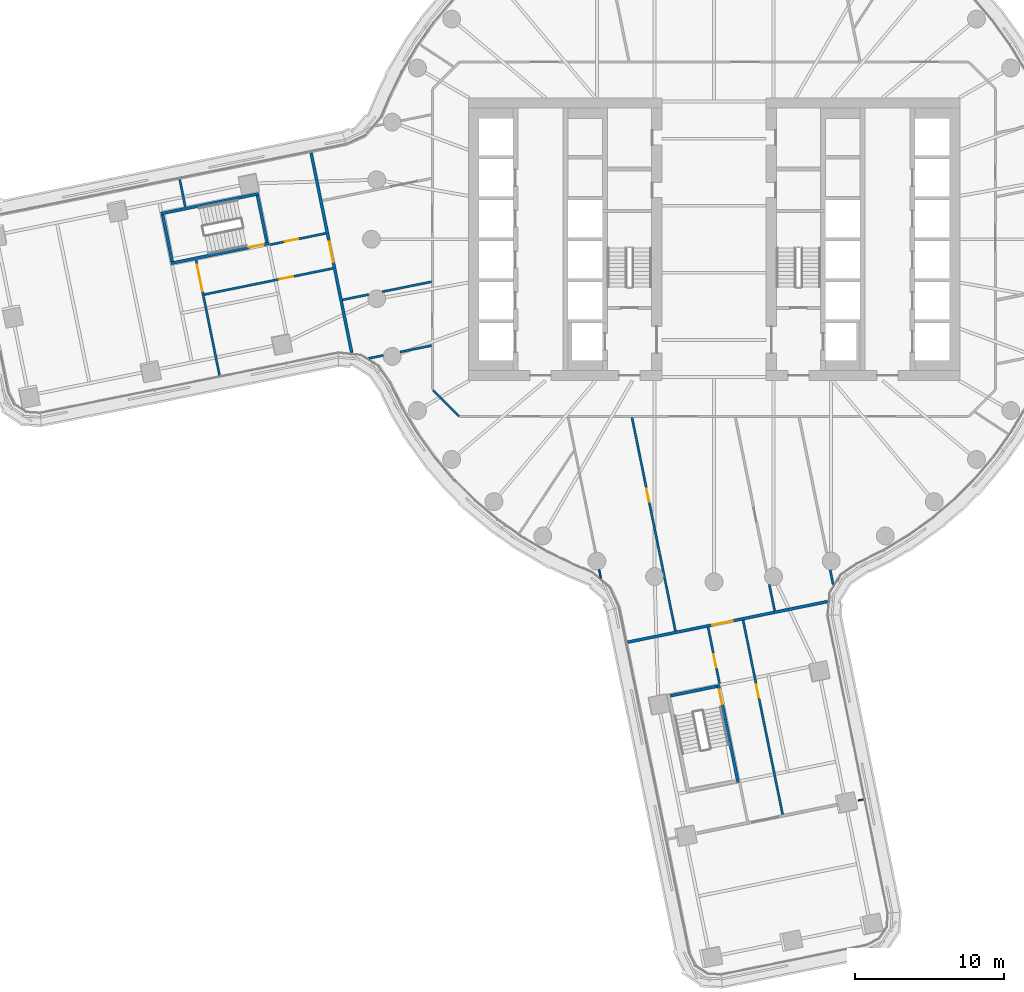
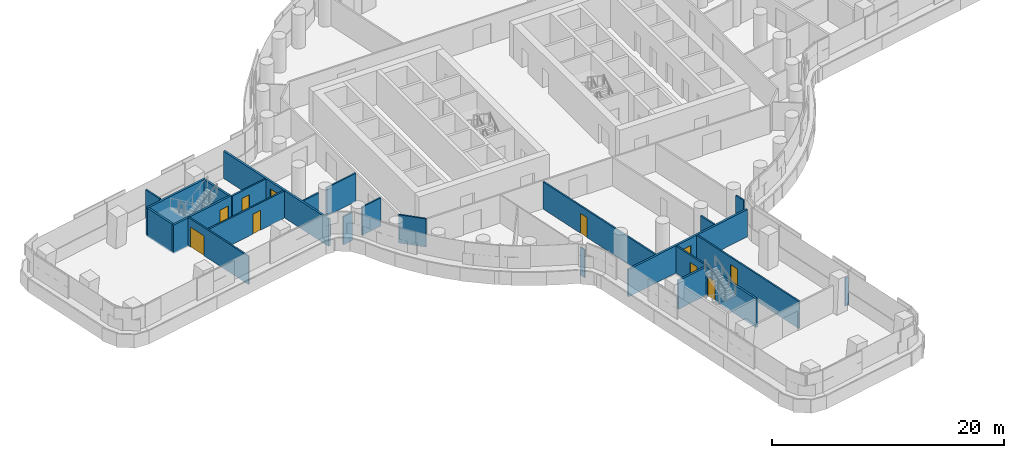
# One storey, part 18 of 31: 24 walls, 10 doors, 10 openings.
"""IFC4 building model written with IfcOpenShell, lengths in metres."""

from ifc_helpers import new_model, si_unit, direction, frame, frame_2d, origin, place, context, subcontext, project, spatial, polyline, rectangle, outline, extrude, material, layer, layer_set, type_object, element, fill, save


model = new_model("IFC4")

# Units and contexts
model_context = context("Model", 3, precision=1e-05, world=origin(), true_north=direction((0.0, 1.0)))
body_context = subcontext(model_context, "Body", "Model", "MODEL_VIEW")
ifc_project = project(units=[si_unit("LENGTHUNIT", "METRE"), si_unit("AREAUNIT", "SQUARE_METRE"), si_unit("VOLUMEUNIT", "CUBIC_METRE"), si_unit("PLANEANGLEUNIT", "RADIAN"), si_unit("MASSUNIT", "GRAM", prefix="KILO")], contexts=[model_context])

# Site, building, storey
site_placement = place(None, origin())
site = spatial("IfcSite", under=ifc_project, at=site_placement, CompositionType="ELEMENT")
building_placement = place(site_placement, origin())
building = spatial("IfcBuilding", under=site, at=building_placement, Name="Tamarind Cross Interchange Tower", CompositionType="ELEMENT")
storey_placement = place(building_placement, frame((0.0, 0.0, 75.25)))
storey = spatial("IfcBuildingStorey", under=building, at=storey_placement, Name="L17", CompositionType="ELEMENT", Elevation=75.25)

# Walls
ifc_material_1 = material(Name="Gypsum board partition on steel studs", Category="steel")
ifc_layer_1 = layer(ifc_material_1, 0.10009765625)
ifc_layer_set_1 = layer_set([ifc_layer_1], Name="Gypsum board partition on steel studs")
wall_type_1 = type_object("IfcWallType", Name="Partition 100 mm EI 90", PredefinedType="PARTITIONING", material=ifc_layer_set_1)
wall_1_placement = place(storey_placement, frame((-7.718505859375, -22.183349609375, 0.0), z_axis=(0.0, 0.0, 1.0), x_axis=(0.1988702456, -0.980025828953, 0.0)))
element("IfcWall", 1, at=wall_1_placement, inside=storey, type_object=wall_type_1, Name="Partition L17-007", PredefinedType="PARTITIONING", context=body_context, shape_type="SweptSolid", body=[
    extrude(rectangle(XDim=0.579345703125, YDim=0.10009765625, at=frame_2d((0.28955078125, 0.0))), origin(), (0.0, 0.0, 1.0), 2.969970703125),
])
wall_2_placement = place(storey_placement, frame((9.68603515625, -37.684326171875, 0.0), z_axis=(0.0, 0.0, 1.0), x_axis=(0.979943754842, 0.199274276677, 0.0)))
element("IfcWall", 2, at=wall_2_placement, inside=storey, type_object=wall_type_1, Name="Partition L17-052", PredefinedType="PARTITIONING", context=body_context, shape_type="SweptSolid", body=[
    extrude(rectangle(XDim=0.341796875, YDim=0.10009765625, at=frame_2d((0.1708984375, 0.0))), origin(), (0.0, 0.0, 1.0), 2.969970703125),
])
ifc_layer_2 = layer(ifc_material_1, 0.14990234375)
ifc_layer_set_2 = layer_set([ifc_layer_2], Name="Gypsum board partition on steel studs")
wall_type_2 = type_object("IfcWallType", Name="Partition 150 mm EI 120", PredefinedType="PARTITIONING", material=ifc_layer_set_2)
wall_3_placement = place(storey_placement, frame((-35.8779296875, 4.014404296875, 0.0), z_axis=(0.0, 0.0, 1.0), x_axis=(0.199020498729, -0.979995327073, 0.0)))
element("IfcWall", 3, at=wall_3_placement, inside=storey, type_object=wall_type_2, Name="Partition L17-001", PredefinedType="PARTITIONING", context=body_context, shape_type="SweptSolid", body=[
    extrude(rectangle(XDim=1.8583984375, YDim=0.14990234375, at=frame_2d((0.92919921875, 0.0))), origin(), (0.0, 0.0, 1.0), 2.969970703125),
])

# Wall, opening, door
wall_4_placement = place(storey_placement, frame((-34.775390625, -1.413818359375, 0.0), z_axis=(0.0, 0.0, 1.0), x_axis=(0.199048758303, -0.979989587607, 0.0)))
wall_4 = element("IfcWall", 4, at=wall_4_placement, inside=storey, type_object=wall_type_2, Name="Partition L17-002", PredefinedType="PARTITIONING", context=body_context, shape_type="SweptSolid", body=[
    extrude(rectangle(XDim=7.874267578125, YDim=0.14990234375, at=frame_2d((3.93701171875, 0.0))), origin(), (0.0, 0.0, 1.0), 2.969970703125),
])
opening_1_placement = place(wall_4_placement, frame((0.300048828125, 0.0, 0.0)))
opening_1 = element("IfcOpeningElement", 5, at=opening_1_placement, cuts=wall_4, Name="Opening D01", PredefinedType="OPENING", context=body_context, shape_type="SweptSolid", body=[
    extrude(rectangle(XDim=1.800048828125, YDim=2.10009765625, at=frame_2d((0.89990234375, 1.050048828125))), frame((0.0, 0.0849609375, 0.0), z_axis=(0.0, -1.0, 0.0), x_axis=(1.0, 0.0, 0.0)), (0.0, 0.0, 1.0), 0.169921875),
])
ifc_material_2 = material(Name="Fire-resisting door set")
door_type_1 = type_object("IfcDoorType", Name="Interior door 1800 x 2100 FD60S", OperationType="DOUBLE_DOOR_SINGLE_SWING", PredefinedType="DOOR", material=ifc_material_2)
door_1_placement = place(opening_1_placement, frame((1.800048828125, 0.0, 0.0), z_axis=(0.0, 0.0, 1.0), x_axis=(-1.0, 0.0, 0.0)))
door_1 = element("IfcDoor", 6, at=door_1_placement, inside=storey, type_object=door_type_1, Name="Door D01", OperationType="DOUBLE_DOOR_SINGLE_SWING", OverallHeight=2.10009765625, OverallWidth=1.800048828125, PredefinedType="DOOR", context=body_context, shape_type="SweptSolid", body=[
    extrude(rectangle(XDim=1.800048828125, YDim=2.10009765625, at=frame_2d((0.89990234375, 1.050048828125))), frame((0.0, 0.02490234375, 0.0), z_axis=(0.0, -1.0, 0.0), x_axis=(1.0, 0.0, 0.0)), (0.0, 0.0, 1.0), 0.050048828125),
])
fill(opening_1, door_1)

wall_5_placement = place(storey_placement, frame((-5.508056640625, -11.973388671875, 0.0), z_axis=(0.0, 0.0, 1.0), x_axis=(0.199216758513, -0.979955449563, 0.0)))
wall_5 = element("IfcWall", 7, at=wall_5_placement, inside=storey, type_object=wall_type_2, Name="Partition L17-009", PredefinedType="PARTITIONING", context=body_context, shape_type="SweptSolid", body=[
    extrude(rectangle(XDim=14.622802734375, YDim=0.14990234375, at=frame_2d((7.3115234375, 0.0))), origin(), (0.0, 0.0, 1.0), 2.8701171875),
])
opening_2_placement = place(wall_5_placement, frame((4.875, 0.0, 0.0)))
opening_2 = element("IfcOpeningElement", 8, at=opening_2_placement, cuts=wall_5, Name="Opening D03", PredefinedType="OPENING", context=body_context, shape_type="SweptSolid", body=[
    extrude(rectangle(XDim=0.89990234375, YDim=2.10009765625, at=frame_2d((0.449951171875, 1.050048828125))), frame((0.0, 0.0849609375, 0.0), z_axis=(0.0, -1.0, 0.0), x_axis=(1.0, 0.0, 0.0)), (0.0, 0.0, 1.0), 0.169921875),
])
door_type_2 = type_object("IfcDoorType", Name="Interior door 900 x 2100 FD60S", OperationType="SINGLE_SWING_LEFT", PredefinedType="DOOR", material=ifc_material_2)
door_2_placement = place(opening_2_placement, frame((0.89990234375, 0.0, 0.0), z_axis=(0.0, 0.0, 1.0), x_axis=(-1.0, 0.0, 0.0)))
door_2 = element("IfcDoor", 9, at=door_2_placement, inside=storey, type_object=door_type_2, Name="Door D03", OperationType="SINGLE_SWING_LEFT", OverallHeight=2.10009765625, OverallWidth=0.89990234375, PredefinedType="DOOR", context=body_context, shape_type="SweptSolid", body=[
    extrude(rectangle(XDim=0.89990234375, YDim=2.10009765625, at=frame_2d((0.449951171875, 1.050048828125))), frame((0.0, 0.02490234375, 0.0), z_axis=(0.0, -1.0, 0.0), x_axis=(1.0, 0.0, 0.0)), (0.0, 0.0, 1.0), 0.050048828125),
])
fill(opening_2, door_2)

wall_6_placement = place(storey_placement, frame((-0.399169921875, -26.06103515625, 0.0), z_axis=(0.0, 0.0, 1.0), x_axis=(0.199301945462, -0.979938127912, 0.0)))
wall_6 = element("IfcWall", 10, at=wall_6_placement, inside=storey, type_object=wall_type_2, Name="Partition L17-014", PredefinedType="PARTITIONING", context=body_context, shape_type="SweptSolid", body=[
    extrude(rectangle(XDim=3.85986328125, YDim=0.14990234375, at=frame_2d((1.929931640625, 0.0))), origin(), (0.0, 0.0, 1.0), 2.8701171875),
])
opening_3_placement = place(wall_6_placement, frame((1.85009765625, 0.0, 0.0)))
opening_3 = element("IfcOpeningElement", 11, at=opening_3_placement, cuts=wall_6, Name="Opening D11", PredefinedType="OPENING", context=body_context, shape_type="SweptSolid", body=[
    extrude(rectangle(XDim=0.89990234375, YDim=2.10009765625, at=frame_2d((0.449951171875, 1.050048828125))), frame((0.0, 0.0849609375, 0.0), z_axis=(0.0, -1.0, 0.0), x_axis=(1.0, 0.0, 0.0)), (0.0, 0.0, 1.0), 0.169921875),
])
door_3_placement = place(opening_3_placement, frame((0.89990234375, 0.0, 0.0), z_axis=(0.0, 0.0, 1.0), x_axis=(-1.0, 0.0, 0.0)))
door_3 = element("IfcDoor", 12, at=door_3_placement, inside=storey, type_object=door_type_2, Name="Door D11", OperationType="SINGLE_SWING_RIGHT", OverallHeight=2.10009765625, OverallWidth=0.89990234375, PredefinedType="DOOR", context=body_context, shape_type="SweptSolid", body=[
    extrude(rectangle(XDim=0.89990234375, YDim=2.10009765625, at=frame_2d((0.449951171875, 1.050048828125))), frame((0.0, 0.02490234375, 0.0), z_axis=(0.0, -1.0, 0.0), x_axis=(1.0, 0.0, 0.0)), (0.0, 0.0, 1.0), 0.050048828125),
])
fill(opening_3, door_3)

# Wall
wall_7_placement = place(storey_placement, frame((3.71044921875, -23.1845703125, 0.0), z_axis=(0.0, 0.0, 1.0), x_axis=(0.199298110967, -0.979938907772, 0.0)))
element("IfcWall", 13, at=wall_7_placement, inside=storey, type_object=wall_type_2, Name="Partition L17-017", PredefinedType="PARTITIONING", context=body_context, shape_type="SweptSolid", body=[
    extrude(rectangle(XDim=1.799560546875, YDim=0.14990234375, at=frame_2d((0.89990234375, 0.0))), origin(), (0.0, 0.0, 1.0), 2.8701171875),
])

# Wall, opening, door
wall_8_placement = place(storey_placement, frame((1.952880859375, -25.5830078125, 0.0), z_axis=(0.0, 0.0, 1.0), x_axis=(0.199276932298, -0.979943214811, 0.0)))
wall_8 = element("IfcWall", 14, at=wall_8_placement, inside=storey, type_object=wall_type_2, Name="Partition L17-018", PredefinedType="PARTITIONING", context=body_context, shape_type="SweptSolid", body=[
    extrude(rectangle(XDim=13.319580078125, YDim=0.14990234375, at=frame_2d((6.65966796875, 0.0))), origin(), (0.0, 0.0, 1.0), 2.8701171875),
])
opening_4_placement = place(wall_8_placement, frame((4.39990234375, 0.0, 0.0)))
opening_4 = element("IfcOpeningElement", 15, at=opening_4_placement, cuts=wall_8, Name="Opening D13", PredefinedType="OPENING", context=body_context, shape_type="SweptSolid", body=[
    extrude(rectangle(XDim=0.89990234375, YDim=2.10009765625, at=frame_2d((0.449951171875, 1.050048828125))), frame((0.0, 0.0849609375, 0.0), z_axis=(0.0, -1.0, 0.0), x_axis=(1.0, 0.0, 0.0)), (0.0, 0.0, 1.0), 0.169921875),
])
door_4_placement = place(opening_4_placement, origin())
door_4 = element("IfcDoor", 16, at=door_4_placement, inside=storey, type_object=door_type_2, Name="Door D13", OperationType="SINGLE_SWING_RIGHT", OverallHeight=2.10009765625, OverallWidth=0.89990234375, PredefinedType="DOOR", context=body_context, shape_type="SweptSolid", body=[
    extrude(rectangle(XDim=0.89990234375, YDim=2.10009765625, at=frame_2d((0.449951171875, 1.050048828125))), frame((0.0, 0.02490234375, 0.0), z_axis=(0.0, -1.0, 0.0), x_axis=(1.0, 0.0, 0.0)), (0.0, 0.0, 1.0), 0.050048828125),
])
fill(opening_4, door_4)

# Walls
wall_9_placement = place(storey_placement, frame((7.79736328125, -22.204345703125, 0.0), z_axis=(0.0, 0.0, 1.0), x_axis=(0.199166137736, -0.979965738982, 0.0)))
element("IfcWall", 17, at=wall_9_placement, inside=storey, type_object=wall_type_2, Name="Partition L17-021", PredefinedType="PARTITIONING", context=body_context, shape_type="SweptSolid", body=[
    extrude(rectangle(XDim=1.000244140625, YDim=0.14990234375, at=frame_2d((0.5, 0.0))), origin(), (0.0, 0.0, 1.0), 2.969970703125),
])
wall_10_placement = place(storey_placement, frame((-18.87158203125, -10.12841796875, 0.0), z_axis=(0.0, 0.0, 1.0), x_axis=(0.707106781187, -0.707106781187, 0.0)))
element("IfcWall", 18, at=wall_10_placement, inside=storey, type_object=wall_type_2, Name="Partition L17-027", PredefinedType="PARTITIONING", context=body_context, shape_type="SweptSolid", body=[
    extrude(rectangle(XDim=2.465087890625, YDim=0.14990234375, at=frame_2d((1.232421875, 0.0))), origin(), (0.0, 0.0, 1.0), 2.969970703125),
])

# Wall, opening, door
wall_11_placement = place(storey_placement, frame((-34.23046875, -3.711181640625, 0.0), z_axis=(0.0, 0.0, 1.0), x_axis=(0.979947834189, 0.199254215184, 0.0)))
wall_11 = element("IfcWall", 19, at=wall_11_placement, inside=storey, type_object=wall_type_2, Name="Partition L17-033", PredefinedType="PARTITIONING", context=body_context, shape_type="SweptSolid", body=[
    extrude(rectangle(XDim=8.824462890625, YDim=0.14990234375, at=frame_2d((4.412109375, 0.0))), origin(), (0.0, 0.0, 1.0), 2.8701171875),
])
opening_5_placement = place(wall_11_placement, frame((5.175048828125, 0.0, 0.0)))
opening_5 = element("IfcOpeningElement", 20, at=opening_5_placement, cuts=wall_11, Name="Opening D22", PredefinedType="OPENING", context=body_context, shape_type="SweptSolid", body=[
    extrude(rectangle(XDim=0.89990234375, YDim=2.10009765625, at=frame_2d((0.449951171875, 1.050048828125))), frame((0.0, 0.0849609375, 0.0), z_axis=(0.0, -1.0, 0.0), x_axis=(1.0, 0.0, 0.0)), (0.0, 0.0, 1.0), 0.169921875),
])
door_5_placement = place(opening_5_placement, frame((0.89990234375, 0.0, 0.0), z_axis=(0.0, 0.0, 1.0), x_axis=(-1.0, 0.0, 0.0)))
door_5 = element("IfcDoor", 21, at=door_5_placement, inside=storey, type_object=door_type_2, Name="Door D22", OperationType="SINGLE_SWING_RIGHT", OverallHeight=2.10009765625, OverallWidth=0.89990234375, PredefinedType="DOOR", context=body_context, shape_type="SweptSolid", body=[
    extrude(rectangle(XDim=0.89990234375, YDim=2.10009765625, at=frame_2d((0.449951171875, 1.050048828125))), frame((0.0, 0.02490234375, 0.0), z_axis=(0.0, -1.0, 0.0), x_axis=(1.0, 0.0, 0.0)), (0.0, 0.0, 1.0), 0.050048828125),
])
fill(opening_5, door_5)

wall_12_placement = place(storey_placement, frame((-29.843505859375, -0.3701171875, 0.0), z_axis=(0.0, 0.0, 1.0), x_axis=(0.979938127912, 0.199301945462, 0.0)))
wall_12 = element("IfcWall", 22, at=wall_12_placement, inside=storey, type_object=wall_type_2, Name="Partition L17-034", PredefinedType="PARTITIONING", context=body_context, shape_type="SweptSolid", body=[
    extrude(rectangle(XDim=3.85986328125, YDim=0.14990234375, at=frame_2d((1.929931640625, 0.0))), origin(), (0.0, 0.0, 1.0), 2.8701171875),
])
opening_6_placement = place(wall_12_placement, frame((1.050048828125, 0.0, 0.0)))
opening_6 = element("IfcOpeningElement", 23, at=opening_6_placement, cuts=wall_12, Name="Opening D23", PredefinedType="OPENING", context=body_context, shape_type="SweptSolid", body=[
    extrude(rectangle(XDim=0.89990234375, YDim=2.10009765625, at=frame_2d((0.449951171875, 1.050048828125))), frame((0.0, 0.0849609375, 0.0), z_axis=(0.0, -1.0, 0.0), x_axis=(1.0, 0.0, 0.0)), (0.0, 0.0, 1.0), 0.169921875),
])
door_6_placement = place(opening_6_placement, origin())
door_6 = element("IfcDoor", 24, at=door_6_placement, inside=storey, type_object=door_type_2, Name="Door D23", OperationType="SINGLE_SWING_RIGHT", OverallHeight=2.10009765625, OverallWidth=0.89990234375, PredefinedType="DOOR", context=body_context, shape_type="SweptSolid", body=[
    extrude(rectangle(XDim=0.89990234375, YDim=2.10009765625, at=frame_2d((0.449951171875, 1.050048828125))), frame((0.0, 0.02490234375, 0.0), z_axis=(0.0, -1.0, 0.0), x_axis=(1.0, 0.0, 0.0)), (0.0, 0.0, 1.0), 0.050048828125),
])
fill(opening_6, door_6)

# Walls
wall_13_placement = place(storey_placement, frame((-24.947998046875, -4.069091796875, 0.0), z_axis=(0.0, 0.0, 1.0), x_axis=(0.979938907772, 0.199298110967, 0.0)))
element("IfcWall", 25, at=wall_13_placement, inside=storey, type_object=wall_type_2, Name="Partition L17-036", PredefinedType="PARTITIONING", context=body_context, shape_type="SweptSolid", body=[
    extrude(rectangle(XDim=1.799560546875, YDim=0.14990234375, at=frame_2d((0.89990234375, 0.0))), origin(), (0.0, 0.0, 1.0), 2.8701171875),
])
wall_14_placement = place(storey_placement, frame((-22.283935546875, -3.527099609375, 0.0), z_axis=(0.0, 0.0, 1.0), x_axis=(0.979950296152, 0.199242106673, 0.0)))
element("IfcWall", 26, at=wall_14_placement, inside=storey, type_object=wall_type_2, Name="Partition L17-037", PredefinedType="PARTITIONING", context=body_context, shape_type="SweptSolid", body=[
    extrude(rectangle(XDim=3.378173828125, YDim=0.14990234375, at=frame_2d((1.68896484375, 0.0))), origin(), (0.0, 0.0, 1.0), 2.969970703125),
])
wall_15_placement = place(storey_placement, frame((-23.1845703125, -7.99658203125, 0.0), z_axis=(0.0, 0.0, 1.0), x_axis=(0.979965738982, 0.199166137736, 0.0)))
element("IfcWall", 27, at=wall_15_placement, inside=storey, type_object=wall_type_2, Name="Partition L17-064", PredefinedType="PARTITIONING", context=body_context, shape_type="SweptSolid", body=[
    extrude(rectangle(XDim=1.000244140625, YDim=0.14990234375, at=frame_2d((0.5, 0.0))), origin(), (0.0, 0.0, 1.0), 2.969970703125),
])
wall_16_placement = place(storey_placement, frame((-21.08251953125, -7.569091796875, 0.0), z_axis=(0.0, 0.0, 1.0), x_axis=(0.979916380724, 0.199408843305, 0.0)))
element("IfcWall", 28, at=wall_16_placement, inside=storey, type_object=wall_type_2, Name="Partition L17-065", PredefinedType="PARTITIONING", context=body_context, shape_type="SweptSolid", body=[
    extrude(rectangle(XDim=2.15234375, YDim=0.14990234375, at=frame_2d((1.076171875, 0.0))), origin(), (0.0, 0.0, 1.0), 2.969970703125),
])

# Wall, opening, door
ifc_layer_3 = layer(ifc_material_1, 0.199951171875)
ifc_layer_set_3 = layer_set([ifc_layer_3], Name="Gypsum board partition on steel studs")
wall_type_3 = type_object("IfcWallType", Name="Partition 200 mm EI 180", PredefinedType="PARTITIONING", material=ifc_layer_set_3)
wall_17_placement = place(storey_placement, frame((-27.05859375, 5.8076171875, 0.0), z_axis=(0.0, 0.0, 1.0), x_axis=(0.199248511138, -0.979948993984, 0.0)))
wall_17 = element("IfcWall", 29, at=wall_17_placement, inside=storey, type_object=wall_type_3, Name="Partition L17-003", PredefinedType="PARTITIONING", context=body_context, shape_type="SweptSolid", body=[
    extrude(rectangle(XDim=13.6953125, YDim=0.199951171875, at=frame_2d((6.84765625, 0.0))), origin(), (0.0, 0.0, 1.0), 2.8701171875),
])
opening_7_placement = place(wall_17_placement, frame((6.098876953125, 0.0, 0.0)))
opening_7 = element("IfcOpeningElement", 30, at=opening_7_placement, cuts=wall_17, Name="Opening D02", PredefinedType="OPENING", context=body_context, shape_type="SweptSolid", body=[
    extrude(rectangle(XDim=1.39990234375, YDim=2.10009765625, at=frame_2d((0.699951171875, 1.050048828125))), frame((0.0, 0.10986328125, 0.0), z_axis=(0.0, -1.0, 0.0), x_axis=(1.0, 0.0, 0.0)), (0.0, 0.0, 1.0), 0.219970703125),
])
door_type_3 = type_object("IfcDoorType", Name="Interior door 1400 x 2100 FD120S", OperationType="DOUBLE_DOOR_SINGLE_SWING", PredefinedType="DOOR", material=ifc_material_2)
door_7_placement = place(opening_7_placement, origin())
door_7 = element("IfcDoor", 31, at=door_7_placement, inside=storey, type_object=door_type_3, Name="Door D02", OperationType="DOUBLE_DOOR_SINGLE_SWING", OverallHeight=2.10009765625, OverallWidth=1.39990234375, PredefinedType="DOOR", context=body_context, shape_type="SweptSolid", body=[
    extrude(rectangle(XDim=1.39990234375, YDim=2.10009765625, at=frame_2d((0.699951171875, 1.050048828125))), frame((0.0, 0.02490234375, 0.0), z_axis=(0.0, -1.0, 0.0), x_axis=(1.0, 0.0, 0.0)), (0.0, 0.0, 1.0), 0.050048828125),
])
fill(opening_7, door_7)

wall_18_placement = place(storey_placement, frame((-5.8076171875, -27.05859375, 0.0), z_axis=(0.0, 0.0, 1.0), x_axis=(0.979948993984, 0.199248511138, 0.0)))
wall_18 = element("IfcWall", 32, at=wall_18_placement, inside=storey, type_object=wall_type_3, Name="Partition L17-049", PredefinedType="PARTITIONING", context=body_context, shape_type="SweptSolid", body=[
    extrude(rectangle(XDim=13.6953125, YDim=0.199951171875, at=frame_2d((6.84765625, 0.0))), origin(), (0.0, 0.0, 1.0), 2.8701171875),
])
opening_8_placement = place(wall_18_placement, frame((5.798828125, 0.0, 0.0)))
opening_8 = element("IfcOpeningElement", 33, at=opening_8_placement, cuts=wall_18, Name="Opening D28", PredefinedType="OPENING", context=body_context, shape_type="SweptSolid", body=[
    extrude(rectangle(XDim=1.39990234375, YDim=2.10009765625, at=frame_2d((0.699951171875, 1.050048828125))), frame((0.0, 0.10986328125, 0.0), z_axis=(0.0, -1.0, 0.0), x_axis=(1.0, 0.0, 0.0)), (0.0, 0.0, 1.0), 0.219970703125),
])
door_8_placement = place(opening_8_placement, origin())
door_8 = element("IfcDoor", 34, at=door_8_placement, inside=storey, type_object=door_type_3, Name="Door D28", OperationType="DOUBLE_DOOR_SINGLE_SWING", OverallHeight=2.10009765625, OverallWidth=1.39990234375, PredefinedType="DOOR", context=body_context, shape_type="SweptSolid", body=[
    extrude(rectangle(XDim=1.39990234375, YDim=2.10009765625, at=frame_2d((0.699951171875, 1.050048828125))), frame((0.0, 0.02490234375, 0.0), z_axis=(0.0, -1.0, 0.0), x_axis=(1.0, 0.0, 0.0)), (0.0, 0.0, 1.0), 0.050048828125),
])
fill(opening_8, door_8)

ifc_material_3 = material(Name="Concrete C40", Category="concrete")
ifc_layer_4 = layer(ifc_material_3, 0.199951171875)
ifc_layer_set_4 = layer_set([ifc_layer_4], Name="Concrete C40")
wall_type_4 = type_object("IfcWallType", Name="Stair shaft wall 200 mm Concrete C40", PredefinedType="SHEAR", material=ifc_layer_set_4)
wall_19_placement = place(storey_placement, frame((-29.902587890625, -0.2802734375, -0.139892578125), z_axis=(0.0, 0.0, 1.0), x_axis=(-0.979956319534, -0.199212479042, 0.0)))
wall_19 = element("IfcWall", 35, at=wall_19_placement, inside=storey, type_object=wall_type_4, Name="Core wall CWL-L17-ST5-H", PredefinedType="SHEAR", context=body_context, shape_type="SweptSolid", body=[
    extrude(rectangle(XDim=6.699951171875, YDim=0.199951171875, at=frame_2d((3.35009765625, 0.0))), origin(), (0.0, 0.0, 1.0), 3.010009765625),
])
opening_9_placement = place(wall_19_placement, frame((0.35009765625, 0.0, 0.0)))
opening_9 = element("IfcOpeningElement", 36, at=opening_9_placement, cuts=wall_19, Name="Opening ST5L17", PredefinedType="OPENING", context=body_context, shape_type="SweptSolid", body=[
    extrude(rectangle(XDim=1.0, YDim=2.10009765625, at=frame_2d((0.5, 1.050048828125))), frame((0.0, 0.10986328125, 0.0), z_axis=(0.0, -1.0, 0.0), x_axis=(1.0, 0.0, 0.0)), (0.0, 0.0, 1.0), 0.219970703125),
])
ifc_material_4 = material(Name="Steel, fire-resisting", Category="steel")
door_type_4 = type_object("IfcDoorType", Name="Core fire door 1000 x 2100 FD90", OperationType="SINGLE_SWING_LEFT", PredefinedType="DOOR", material=ifc_material_4)
door_9_placement = place(opening_9_placement, origin())
door_9 = element("IfcDoor", 37, at=door_9_placement, inside=storey, type_object=door_type_4, Name="L17 stair door ST5", OperationType="SINGLE_SWING_LEFT", OverallHeight=2.10009765625, OverallWidth=1.0, PredefinedType="DOOR", context=body_context, shape_type="SweptSolid", body=[
    extrude(rectangle(XDim=1.0, YDim=2.10009765625, at=frame_2d((0.5, 1.050048828125))), frame((0.0, 0.02490234375, 0.0), z_axis=(0.0, -1.0, 0.0), x_axis=(1.0, 0.0, 0.0)), (0.0, 0.0, 1.0), 0.050048828125),
])
fill(opening_9, door_9)

# Walls
wall_20_placement = place(storey_placement, frame((-30.580078125, 3.0517578125, -0.139892578125), z_axis=(0.0, 0.0, 1.0), x_axis=(-0.979949205339, -0.199247471639, 0.0)))
element("IfcWall", 38, at=wall_20_placement, inside=storey, type_object=wall_type_4, Name="Core wall CWL-L17-ST5-C", PredefinedType="SHEAR", context=body_context, shape_type="SweptSolid", body=[
    extrude(rectangle(XDim=6.699951171875, YDim=0.199951171875, at=frame_2d((3.35009765625, 0.0))), origin(), (0.0, 0.0, 1.0), 3.010009765625),
])
wall_21_placement = place(storey_placement, frame((-30.658203125, 2.93359375, -0.139892578125), z_axis=(0.0, 0.0, 1.0), x_axis=(0.199284316026, -0.97994171326, 0.0)))
element("IfcWall", 39, at=wall_21_placement, inside=storey, type_object=wall_type_4, Name="Core wall CWL-L17-ST5-CE", PredefinedType="SHEAR", context=body_context, shape_type="SweptSolid", body=[
    extrude(rectangle(XDim=3.199951171875, YDim=0.199951171875, at=frame_2d((1.60009765625, 0.0))), origin(), (0.0, 0.0, 1.0), 3.010009765625),
])
wall_22_placement = place(storey_placement, frame((0.0, 0.0, -0.139892578125)))
element("IfcWall", 40, at=wall_22_placement, inside=storey, type_object=wall_type_4, Name="Core wall CWL-L17-ST5-CF", PredefinedType="SHEAR", context=body_context, shape_type="SweptSolid", body=[
    extrude(outline(polyline([(-36.9296875, 1.65869140625), (-37.125732421875, 1.61865234375), (-36.48828125, -1.51708984375), (-36.292236328125, -1.477294921875), (-36.9296875, 1.65869140625)])), origin(), (0.0, 0.0, 1.0), 3.010009765625),
])

# Wall, opening, door
wall_23_placement = place(storey_placement, frame((0.2802734375, -29.902587890625, -0.139892578125), z_axis=(0.0, 0.0, 1.0), x_axis=(0.199212479042, -0.979956319534, 0.0)))
wall_23 = element("IfcWall", 41, at=wall_23_placement, inside=storey, type_object=wall_type_4, Name="Core wall CWL-L17-ST6-H", PredefinedType="SHEAR", context=body_context, shape_type="SweptSolid", body=[
    extrude(rectangle(XDim=6.699951171875, YDim=0.199951171875, at=frame_2d((3.35009765625, 0.0))), origin(), (0.0, 0.0, 1.0), 3.010009765625),
])
opening_10_placement = place(wall_23_placement, frame((0.35009765625, 0.0, 0.0)))
opening_10 = element("IfcOpeningElement", 42, at=opening_10_placement, cuts=wall_23, Name="Opening ST6L17", PredefinedType="OPENING", context=body_context, shape_type="SweptSolid", body=[
    extrude(rectangle(XDim=1.0, YDim=2.10009765625, at=frame_2d((0.5, 1.050048828125))), frame((0.0, 0.10986328125, 0.0), z_axis=(0.0, -1.0, 0.0), x_axis=(1.0, 0.0, 0.0)), (0.0, 0.0, 1.0), 0.219970703125),
])
door_10_placement = place(opening_10_placement, origin())
door_10 = element("IfcDoor", 43, at=door_10_placement, inside=storey, type_object=door_type_4, Name="L17 stair door ST6", OperationType="SINGLE_SWING_LEFT", OverallHeight=2.10009765625, OverallWidth=1.0, PredefinedType="DOOR", context=body_context, shape_type="SweptSolid", body=[
    extrude(rectangle(XDim=1.0, YDim=2.10009765625, at=frame_2d((0.5, 1.050048828125))), frame((0.0, 0.02490234375, 0.0), z_axis=(0.0, -1.0, 0.0), x_axis=(1.0, 0.0, 0.0)), (0.0, 0.0, 1.0), 0.050048828125),
])
fill(opening_10, door_10)

# Wall
wall_24_placement = place(storey_placement, frame((-2.93359375, -30.658203125, -0.139892578125), z_axis=(0.0, 0.0, 1.0), x_axis=(0.97994171326, 0.199284316026, 0.0)))
element("IfcWall", 44, at=wall_24_placement, inside=storey, type_object=wall_type_4, Name="Core wall CWL-L17-ST6-CE", PredefinedType="SHEAR", context=body_context, shape_type="SweptSolid", body=[
    extrude(rectangle(XDim=3.199951171875, YDim=0.199951171875, at=frame_2d((1.60009765625, 0.0))), origin(), (0.0, 0.0, 1.0), 3.010009765625),
])

save(model, "model.ifc")
